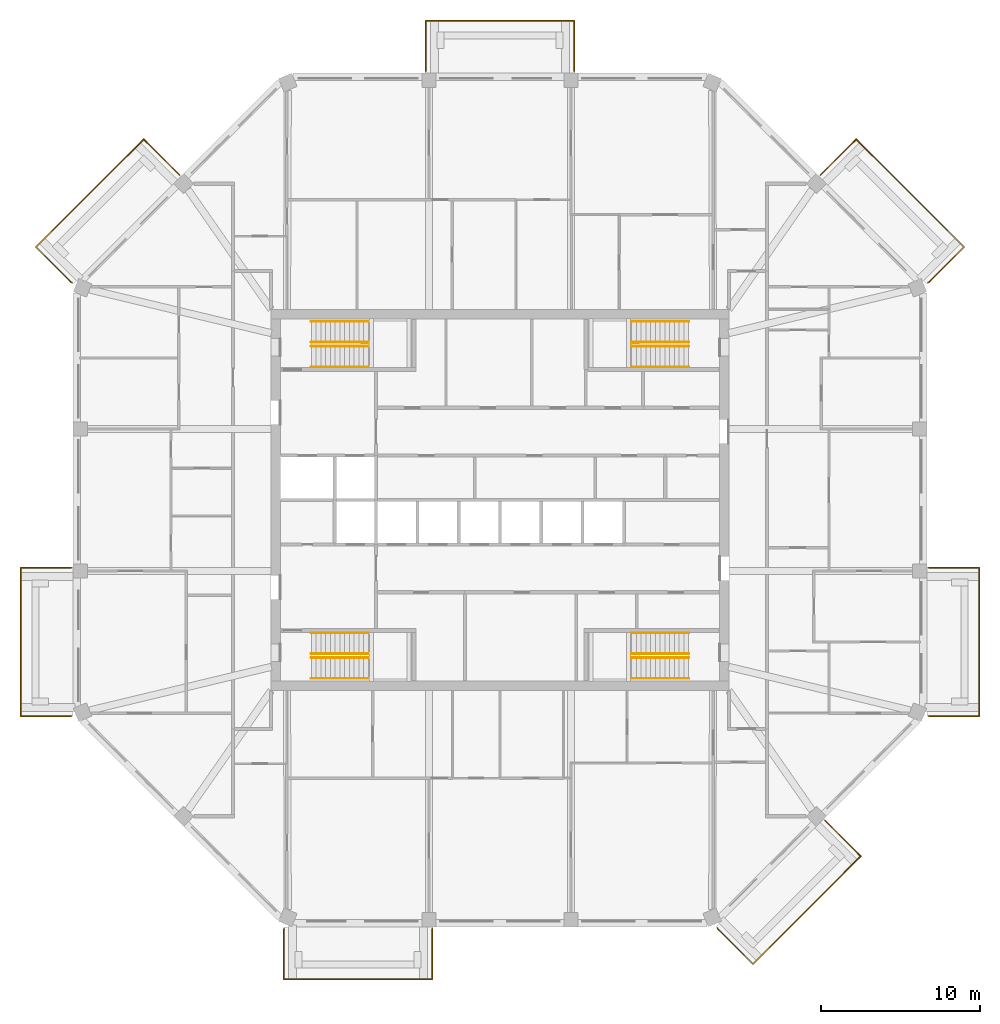
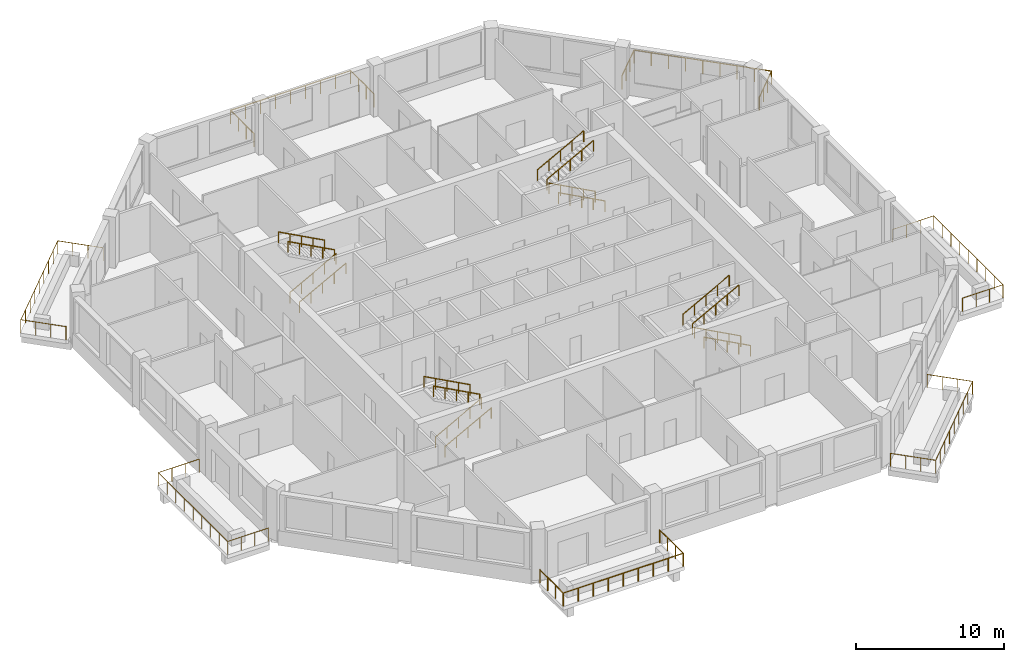
# One storey, part 11 of 11: 23 railings.
"""IFC4 building model written with IfcOpenShell, lengths in metres."""

from ifc_helpers import new_model, si_unit, direction, frame, origin, origin_2d, place, context, subcontext, project, spatial, circle, extrude, material, constituent, constituent_set, type_object, element, save


model = new_model("IFC4")

# Units and contexts
model_context = context("Model", 3, precision=1e-05, world=origin(), true_north=direction((0.0, 1.0)))
body_context = subcontext(model_context, "Body", "Model", "MODEL_VIEW")
ifc_project = project(units=[si_unit("LENGTHUNIT", "METRE"), si_unit("AREAUNIT", "SQUARE_METRE"), si_unit("VOLUMEUNIT", "CUBIC_METRE"), si_unit("PLANEANGLEUNIT", "RADIAN"), si_unit("MASSUNIT", "GRAM", prefix="KILO")], contexts=[model_context])

# Site, building, storey
site_placement = place(None, origin())
site = spatial("IfcSite", under=ifc_project, at=site_placement, CompositionType="ELEMENT")
building_placement = place(site_placement, origin())
building = spatial("IfcBuilding", under=site, at=building_placement, Name="Msitu Wima Residences", CompositionType="ELEMENT")
storey_placement = place(building_placement, frame((0.0, 0.0, 297.89990234375)))
storey = spatial("IfcBuildingStorey", under=building, at=storey_placement, Name="L69", CompositionType="ELEMENT", Elevation=297.89990234375)

# Railings
ifc_material_1 = material(Name="Steel S355", Category="steel")
ifc_constituent_1 = constituent(ifc_material_1, Name="Steel S355")
ifc_material_2 = material(Name="Weathering patina")
ifc_constituent_2 = constituent(ifc_material_2, Name="Weathering patina")
ifc_constituent_set_1 = constituent_set(constituents=[ifc_constituent_1, ifc_constituent_2], Name="Steel S355")
railing_type_1 = type_object("IfcRailingType", Name="Balcony guard GR1100", PredefinedType="GUARDRAIL", material=ifc_constituent_set_1)
railing_1_placement = place(storey_placement, frame((26.97998046875, -4.2685546875, 0.0)))
element("IfcRailing", 1, at=railing_1_placement, inside=storey, type_object=railing_type_1, Name="Balcony guard E0 L69", PredefinedType="GUARDRAIL", context=body_context, shape_type="SweptSolid", body=[
    extrude(circle(Radius=0.02392578125, at=origin_2d()), frame((0.0, 0.0, 1.076171875), z_axis=(1.0, 0.0, 0.0), x_axis=(0.0, 1.0, 0.0)), (0.0, 0.0, 1.0), 3.169921875),
    extrude(circle(Radius=0.02392578125, at=origin_2d()), frame((3.169921875, 0.0, 1.076171875), z_axis=(0.0, -1.0, 0.0), x_axis=(1.0, 0.0, 0.0)), (0.0, 0.0, 1.0), 9.33740234375),
    extrude(circle(Radius=0.02392578125, at=origin_2d()), frame((3.169921875, -9.33740234375, 1.076171875), z_axis=(-1.0, 0.0, 0.0), x_axis=(0.0, -1.0, 0.0)), (0.0, 0.0, 1.0), 3.136474609375),
    extrude(circle(Radius=0.02392578125, at=origin_2d()), frame((0.033447265625, -9.33740234375, 1.076171875), z_axis=(-0.923276184907, 0.384136806859, 0.0), x_axis=(-0.384136806859, -0.923276184907, 0.0)), (0.0, 0.0, 1.0), 0.0361328125),
    extrude(circle(Radius=0.02099609375, at=origin_2d()), origin(), (0.0, 0.0, 1.0), 1.052001953125),
    extrude(circle(Radius=0.02099609375, at=origin_2d()), frame((1.056640625, 0.0, 0.0)), (0.0, 0.0, 1.0), 1.052001953125),
    extrude(circle(Radius=0.02099609375, at=origin_2d()), frame((2.11328125, 0.0, 0.0)), (0.0, 0.0, 1.0), 1.052001953125),
    extrude(circle(Radius=0.02099609375, at=origin_2d()), frame((3.169921875, 0.0, 0.0)), (0.0, 0.0, 1.0), 1.052001953125),
    extrude(circle(Radius=0.02099609375, at=origin_2d()), frame((3.169921875, -1.167236328125, 0.0)), (0.0, 0.0, 1.0), 1.052001953125),
    extrude(circle(Radius=0.02099609375, at=origin_2d()), frame((3.169921875, -2.33447265625, 0.0)), (0.0, 0.0, 1.0), 1.052001953125),
    extrude(circle(Radius=0.02099609375, at=origin_2d()), frame((3.169921875, -3.50146484375, 0.0)), (0.0, 0.0, 1.0), 1.052001953125),
    extrude(circle(Radius=0.02099609375, at=origin_2d()), frame((3.169921875, -4.668701171875, 0.0)), (0.0, 0.0, 1.0), 1.052001953125),
    extrude(circle(Radius=0.02099609375, at=origin_2d()), frame((3.169921875, -5.8359375, 0.0)), (0.0, 0.0, 1.0), 1.052001953125),
    extrude(circle(Radius=0.02099609375, at=origin_2d()), frame((3.169921875, -7.0029296875, 0.0)), (0.0, 0.0, 1.0), 1.052001953125),
    extrude(circle(Radius=0.02099609375, at=origin_2d()), frame((3.169921875, -8.170166015625, 0.0)), (0.0, 0.0, 1.0), 1.052001953125),
    extrude(circle(Radius=0.02099609375, at=origin_2d()), frame((3.169921875, -9.33740234375, 0.0)), (0.0, 0.0, 1.0), 1.052001953125),
    extrude(circle(Radius=0.02099609375, at=origin_2d()), frame((2.12451171875, -9.33740234375, 0.0)), (0.0, 0.0, 1.0), 1.052001953125),
    extrude(circle(Radius=0.02099609375, at=origin_2d()), frame((1.078857421875, -9.33740234375, 0.0)), (0.0, 0.0, 1.0), 1.052001953125),
    extrude(circle(Radius=0.02099609375, at=origin_2d()), frame((0.033447265625, -9.33740234375, 0.0)), (0.0, 0.0, 1.0), 1.052001953125),
    extrude(circle(Radius=0.02099609375, at=origin_2d()), frame((0.0, -9.323486328125, 0.0)), (0.0, 0.0, 1.0), 1.052001953125),
])
railing_2_placement = place(storey_placement, frame((20.171630859375, 20.45458984375, 0.0)))
element("IfcRailing", 2, at=railing_2_placement, inside=storey, type_object=railing_type_1, Name="Balcony guard NE0 L69", PredefinedType="GUARDRAIL", context=body_context, shape_type="SweptSolid", body=[
    extrude(circle(Radius=0.02392578125, at=origin_2d()), frame((0.0, 0.0, 1.076171875), z_axis=(0.707106781187, 0.707106781187, 0.0), x_axis=(-0.707106781187, 0.707106781187, 0.0)), (0.0, 0.0, 1.0), 3.169921875),
    extrude(circle(Radius=0.02392578125, at=origin_2d()), frame((2.241455078125, 2.241455078125, 1.076171875), z_axis=(0.707106781187, -0.707106781187, 0.0), x_axis=(0.707106781187, 0.707106781187, 0.0)), (0.0, 0.0, 1.0), 9.58837890625),
    extrude(circle(Radius=0.02392578125, at=origin_2d()), frame((9.021484375, -4.53857421875, 1.076171875), z_axis=(-0.707106781187, -0.707106781187, 0.0), x_axis=(0.707106781187, -0.707106781187, 0.0)), (0.0, 0.0, 1.0), 3.136474609375),
    extrude(circle(Radius=0.02392578125, at=origin_2d()), frame((6.8037109375, -6.75634765625, 1.076171875), z_axis=(-0.92426142649, -0.38176015442, 0.0), x_axis=(0.38176015442, -0.92426142649, 0.0)), (0.0, 0.0, 1.0), 0.036376953125),
    extrude(circle(Radius=0.02099609375, at=origin_2d()), origin(), (0.0, 0.0, 1.0), 1.052001953125),
    extrude(circle(Radius=0.02099609375, at=origin_2d()), frame((0.7470703125, 0.7470703125, 0.0)), (0.0, 0.0, 1.0), 1.052001953125),
    extrude(circle(Radius=0.02099609375, at=origin_2d()), frame((1.494384765625, 1.494384765625, 0.0)), (0.0, 0.0, 1.0), 1.052001953125),
    extrude(circle(Radius=0.02099609375, at=origin_2d()), frame((2.241455078125, 2.241455078125, 0.0)), (0.0, 0.0, 1.0), 1.052001953125),
    extrude(circle(Radius=0.02099609375, at=origin_2d()), frame((3.0888671875, 1.39404296875, 0.0)), (0.0, 0.0, 1.0), 1.052001953125),
    extrude(circle(Radius=0.02099609375, at=origin_2d()), frame((3.9365234375, 0.54638671875, 0.0)), (0.0, 0.0, 1.0), 1.052001953125),
    extrude(circle(Radius=0.02099609375, at=origin_2d()), frame((4.783935546875, -0.301025390625, 0.0)), (0.0, 0.0, 1.0), 1.052001953125),
    extrude(circle(Radius=0.02099609375, at=origin_2d()), frame((5.63134765625, -1.1484375, 0.0)), (0.0, 0.0, 1.0), 1.052001953125),
    extrude(circle(Radius=0.02099609375, at=origin_2d()), frame((6.47900390625, -1.99609375, 0.0)), (0.0, 0.0, 1.0), 1.052001953125),
    extrude(circle(Radius=0.02099609375, at=origin_2d()), frame((7.326416015625, -2.843505859375, 0.0)), (0.0, 0.0, 1.0), 1.052001953125),
    extrude(circle(Radius=0.02099609375, at=origin_2d()), frame((8.174072265625, -3.691162109375, 0.0)), (0.0, 0.0, 1.0), 1.052001953125),
    extrude(circle(Radius=0.02099609375, at=origin_2d()), frame((9.021484375, -4.53857421875, 0.0)), (0.0, 0.0, 1.0), 1.052001953125),
    extrude(circle(Radius=0.02099609375, at=origin_2d()), frame((8.2822265625, -5.27783203125, 0.0)), (0.0, 0.0, 1.0), 1.052001953125),
    extrude(circle(Radius=0.02099609375, at=origin_2d()), frame((7.54296875, -6.01708984375, 0.0)), (0.0, 0.0, 1.0), 1.052001953125),
    extrude(circle(Radius=0.02099609375, at=origin_2d()), frame((6.8037109375, -6.75634765625, 0.0)), (0.0, 0.0, 1.0), 1.052001953125),
    extrude(circle(Radius=0.02099609375, at=origin_2d()), frame((6.77001953125, -6.770263671875, 0.0)), (0.0, 0.0, 1.0), 1.052001953125),
])
railing_3_placement = place(storey_placement, frame((-4.668701171875, 26.97998046875, 0.0)))
element("IfcRailing", 3, at=railing_3_placement, inside=storey, type_object=railing_type_1, Name="Balcony guard N1 L69", PredefinedType="GUARDRAIL", context=body_context, shape_type="SweptSolid", body=[
    extrude(circle(Radius=0.02392578125, at=origin_2d()), frame((0.0, 0.0, 1.076171875), z_axis=(0.0, 1.0, 0.0), x_axis=(-1.0, 0.0, 0.0)), (0.0, 0.0, 1.0), 3.169921875),
    extrude(circle(Radius=0.02392578125, at=origin_2d()), frame((0.0, 3.169921875, 1.076171875), z_axis=(1.0, 0.0, 0.0), x_axis=(0.0, 1.0, 0.0)), (0.0, 0.0, 1.0), 9.33740234375),
    extrude(circle(Radius=0.02392578125, at=origin_2d()), frame((9.33740234375, 3.169921875, 1.076171875), z_axis=(0.0, -1.0, 0.0), x_axis=(1.0, 0.0, 0.0)), (0.0, 0.0, 1.0), 3.169921875),
    extrude(circle(Radius=0.02099609375, at=origin_2d()), origin(), (0.0, 0.0, 1.0), 1.052001953125),
    extrude(circle(Radius=0.02099609375, at=origin_2d()), frame((0.0, 1.056640625, 0.0)), (0.0, 0.0, 1.0), 1.052001953125),
    extrude(circle(Radius=0.02099609375, at=origin_2d()), frame((0.0, 2.11328125, 0.0)), (0.0, 0.0, 1.0), 1.052001953125),
    extrude(circle(Radius=0.02099609375, at=origin_2d()), frame((0.0, 3.169921875, 0.0)), (0.0, 0.0, 1.0), 1.052001953125),
    extrude(circle(Radius=0.02099609375, at=origin_2d()), frame((1.167236328125, 3.169921875, 0.0)), (0.0, 0.0, 1.0), 1.052001953125),
    extrude(circle(Radius=0.02099609375, at=origin_2d()), frame((2.33447265625, 3.169921875, 0.0)), (0.0, 0.0, 1.0), 1.052001953125),
    extrude(circle(Radius=0.02099609375, at=origin_2d()), frame((3.50146484375, 3.169921875, 0.0)), (0.0, 0.0, 1.0), 1.052001953125),
    extrude(circle(Radius=0.02099609375, at=origin_2d()), frame((4.668701171875, 3.169921875, 0.0)), (0.0, 0.0, 1.0), 1.052001953125),
    extrude(circle(Radius=0.02099609375, at=origin_2d()), frame((5.8359375, 3.169921875, 0.0)), (0.0, 0.0, 1.0), 1.052001953125),
    extrude(circle(Radius=0.02099609375, at=origin_2d()), frame((7.0029296875, 3.169921875, 0.0)), (0.0, 0.0, 1.0), 1.052001953125),
    extrude(circle(Radius=0.02099609375, at=origin_2d()), frame((8.170166015625, 3.169921875, 0.0)), (0.0, 0.0, 1.0), 1.052001953125),
    extrude(circle(Radius=0.02099609375, at=origin_2d()), frame((9.33740234375, 3.169921875, 0.0)), (0.0, 0.0, 1.0), 1.052001953125),
    extrude(circle(Radius=0.02099609375, at=origin_2d()), frame((9.33740234375, 2.11328125, 0.0)), (0.0, 0.0, 1.0), 1.052001953125),
    extrude(circle(Radius=0.02099609375, at=origin_2d()), frame((9.33740234375, 1.056640625, 0.0)), (0.0, 0.0, 1.0), 1.052001953125),
    extrude(circle(Radius=0.02099609375, at=origin_2d()), frame((9.33740234375, 0.0, 0.0)), (0.0, 0.0, 1.0), 1.052001953125),
])
railing_4_placement = place(storey_placement, frame((-26.941650390625, 13.684326171875, 0.0)))
element("IfcRailing", 4, at=railing_4_placement, inside=storey, type_object=railing_type_1, Name="Balcony guard NW1 L69", PredefinedType="GUARDRAIL", context=body_context, shape_type="SweptSolid", body=[
    extrude(circle(Radius=0.02392578125, at=origin_2d()), frame((0.0, 0.0, 1.076171875), z_axis=(-0.92426142649, 0.38176015442, 0.0), x_axis=(-0.38176015442, -0.92426142649, 0.0)), (0.0, 0.0, 1.0), 0.036376953125),
    extrude(circle(Radius=0.02392578125, at=origin_2d()), frame((-0.03369140625, 0.013916015625, 1.076171875), z_axis=(-0.707106781187, 0.707106781187, 0.0), x_axis=(-0.707106781187, -0.707106781187, 0.0)), (0.0, 0.0, 1.0), 3.136474609375),
    extrude(circle(Radius=0.02392578125, at=origin_2d()), frame((-2.25146484375, 2.231689453125, 1.076171875), z_axis=(0.707106781187, 0.707106781187, 0.0), x_axis=(-0.707106781187, 0.707106781187, 0.0)), (0.0, 0.0, 1.0), 9.58837890625),
    extrude(circle(Radius=0.02392578125, at=origin_2d()), frame((4.528564453125, 9.01171875, 1.076171875), z_axis=(0.707106781187, -0.707106781187, 0.0), x_axis=(0.707106781187, 0.707106781187, 0.0)), (0.0, 0.0, 1.0), 3.169921875),
    extrude(circle(Radius=0.02099609375, at=origin_2d()), origin(), (0.0, 0.0, 1.0), 1.052001953125),
    extrude(circle(Radius=0.02099609375, at=origin_2d()), frame((-0.03369140625, 0.013916015625, 0.0)), (0.0, 0.0, 1.0), 1.052001953125),
    extrude(circle(Radius=0.02099609375, at=origin_2d()), frame((-0.77294921875, 0.753173828125, 0.0)), (0.0, 0.0, 1.0), 1.052001953125),
    extrude(circle(Radius=0.02099609375, at=origin_2d()), frame((-1.51220703125, 1.492431640625, 0.0)), (0.0, 0.0, 1.0), 1.052001953125),
    extrude(circle(Radius=0.02099609375, at=origin_2d()), frame((-2.25146484375, 2.231689453125, 0.0)), (0.0, 0.0, 1.0), 1.052001953125),
    extrude(circle(Radius=0.02099609375, at=origin_2d()), frame((-1.404052734375, 3.0791015625, 0.0)), (0.0, 0.0, 1.0), 1.052001953125),
    extrude(circle(Radius=0.02099609375, at=origin_2d()), frame((-0.556396484375, 3.9267578125, 0.0)), (0.0, 0.0, 1.0), 1.052001953125),
    extrude(circle(Radius=0.02099609375, at=origin_2d()), frame((0.291015625, 4.774169921875, 0.0)), (0.0, 0.0, 1.0), 1.052001953125),
    extrude(circle(Radius=0.02099609375, at=origin_2d()), frame((1.138671875, 5.62158203125, 0.0)), (0.0, 0.0, 1.0), 1.052001953125),
    extrude(circle(Radius=0.02099609375, at=origin_2d()), frame((1.986083984375, 6.46923828125, 0.0)), (0.0, 0.0, 1.0), 1.052001953125),
    extrude(circle(Radius=0.02099609375, at=origin_2d()), frame((2.83349609375, 7.316650390625, 0.0)), (0.0, 0.0, 1.0), 1.052001953125),
    extrude(circle(Radius=0.02099609375, at=origin_2d()), frame((3.68115234375, 8.164306640625, 0.0)), (0.0, 0.0, 1.0), 1.052001953125),
    extrude(circle(Radius=0.02099609375, at=origin_2d()), frame((4.528564453125, 9.01171875, 0.0)), (0.0, 0.0, 1.0), 1.052001953125),
    extrude(circle(Radius=0.02099609375, at=origin_2d()), frame((5.275634765625, 8.2646484375, 0.0)), (0.0, 0.0, 1.0), 1.052001953125),
    extrude(circle(Radius=0.02099609375, at=origin_2d()), frame((6.02294921875, 7.517333984375, 0.0)), (0.0, 0.0, 1.0), 1.052001953125),
    extrude(circle(Radius=0.02099609375, at=origin_2d()), frame((6.77001953125, 6.770263671875, 0.0)), (0.0, 0.0, 1.0), 1.052001953125),
])
railing_5_placement = place(storey_placement, frame((-26.97998046875, -13.592041015625, 0.0)))
element("IfcRailing", 5, at=railing_5_placement, inside=storey, type_object=railing_type_1, Name="Balcony guard W2 L69", PredefinedType="GUARDRAIL", context=body_context, shape_type="SweptSolid", body=[
    extrude(circle(Radius=0.02392578125, at=origin_2d()), frame((0.0, 0.0, 1.076171875), z_axis=(-0.923276184907, -0.384136806859, 0.0), x_axis=(0.384136806859, -0.923276184907, 0.0)), (0.0, 0.0, 1.0), 0.0361328125),
    extrude(circle(Radius=0.02392578125, at=origin_2d()), frame((-0.033447265625, -0.013916015625, 1.076171875), z_axis=(-1.0, 0.0, 0.0), x_axis=(0.0, -1.0, 0.0)), (0.0, 0.0, 1.0), 3.136474609375),
    extrude(circle(Radius=0.02392578125, at=origin_2d()), frame((-3.169921875, -0.013916015625, 1.076171875), z_axis=(0.0, 1.0, 0.0), x_axis=(-1.0, 0.0, 0.0)), (0.0, 0.0, 1.0), 9.33740234375),
    extrude(circle(Radius=0.02392578125, at=origin_2d()), frame((-3.169921875, 9.323486328125, 1.076171875), z_axis=(1.0, 0.0, 0.0), x_axis=(0.0, 1.0, 0.0)), (0.0, 0.0, 1.0), 3.169921875),
    extrude(circle(Radius=0.02099609375, at=origin_2d()), origin(), (0.0, 0.0, 1.0), 1.052001953125),
    extrude(circle(Radius=0.02099609375, at=origin_2d()), frame((-0.033447265625, -0.013916015625, 0.0)), (0.0, 0.0, 1.0), 1.052001953125),
    extrude(circle(Radius=0.02099609375, at=origin_2d()), frame((-1.078857421875, -0.013916015625, 0.0)), (0.0, 0.0, 1.0), 1.052001953125),
    extrude(circle(Radius=0.02099609375, at=origin_2d()), frame((-2.12451171875, -0.013916015625, 0.0)), (0.0, 0.0, 1.0), 1.052001953125),
    extrude(circle(Radius=0.02099609375, at=origin_2d()), frame((-3.169921875, -0.013916015625, 0.0)), (0.0, 0.0, 1.0), 1.052001953125),
    extrude(circle(Radius=0.02099609375, at=origin_2d()), frame((-3.169921875, 1.1533203125, 0.0)), (0.0, 0.0, 1.0), 1.052001953125),
    extrude(circle(Radius=0.02099609375, at=origin_2d()), frame((-3.169921875, 2.3203125, 0.0)), (0.0, 0.0, 1.0), 1.052001953125),
    extrude(circle(Radius=0.02099609375, at=origin_2d()), frame((-3.169921875, 3.487548828125, 0.0)), (0.0, 0.0, 1.0), 1.052001953125),
    extrude(circle(Radius=0.02099609375, at=origin_2d()), frame((-3.169921875, 4.65478515625, 0.0)), (0.0, 0.0, 1.0), 1.052001953125),
    extrude(circle(Radius=0.02099609375, at=origin_2d()), frame((-3.169921875, 5.822021484375, 0.0)), (0.0, 0.0, 1.0), 1.052001953125),
    extrude(circle(Radius=0.02099609375, at=origin_2d()), frame((-3.169921875, 6.9892578125, 0.0)), (0.0, 0.0, 1.0), 1.052001953125),
    extrude(circle(Radius=0.02099609375, at=origin_2d()), frame((-3.169921875, 8.15625, 0.0)), (0.0, 0.0, 1.0), 1.052001953125),
    extrude(circle(Radius=0.02099609375, at=origin_2d()), frame((-3.169921875, 9.323486328125, 0.0)), (0.0, 0.0, 1.0), 1.052001953125),
    extrude(circle(Radius=0.02099609375, at=origin_2d()), frame((-2.11328125, 9.323486328125, 0.0)), (0.0, 0.0, 1.0), 1.052001953125),
    extrude(circle(Radius=0.02099609375, at=origin_2d()), frame((-1.056640625, 9.323486328125, 0.0)), (0.0, 0.0, 1.0), 1.052001953125),
    extrude(circle(Radius=0.02099609375, at=origin_2d()), frame((0.0, 9.323486328125, 0.0)), (0.0, 0.0, 1.0), 1.052001953125),
])
railing_6_placement = place(storey_placement, frame((-4.2685546875, -26.97998046875, 0.0)))
element("IfcRailing", 6, at=railing_6_placement, inside=storey, type_object=railing_type_1, Name="Balcony guard S0 L69", PredefinedType="GUARDRAIL", context=body_context, shape_type="SweptSolid", body=[
    extrude(circle(Radius=0.02392578125, at=origin_2d()), frame((0.0, 0.0, 1.076171875), z_axis=(0.0, -1.0, 0.0), x_axis=(1.0, 0.0, 0.0)), (0.0, 0.0, 1.0), 3.169921875),
    extrude(circle(Radius=0.02392578125, at=origin_2d()), frame((0.0, -3.169921875, 1.076171875), z_axis=(-1.0, 0.0, 0.0), x_axis=(0.0, -1.0, 0.0)), (0.0, 0.0, 1.0), 9.33740234375),
    extrude(circle(Radius=0.02392578125, at=origin_2d()), frame((-9.33740234375, -3.169921875, 1.076171875), z_axis=(0.0, 1.0, 0.0), x_axis=(-1.0, 0.0, 0.0)), (0.0, 0.0, 1.0), 3.136474609375),
    extrude(circle(Radius=0.02392578125, at=origin_2d()), frame((-9.33740234375, -0.033447265625, 1.076171875), z_axis=(0.384136806859, 0.923276184907, 0.0), x_axis=(-0.923276184907, 0.384136806859, 0.0)), (0.0, 0.0, 1.0), 0.0361328125),
    extrude(circle(Radius=0.02099609375, at=origin_2d()), origin(), (0.0, 0.0, 1.0), 1.052001953125),
    extrude(circle(Radius=0.02099609375, at=origin_2d()), frame((0.0, -1.056640625, 0.0)), (0.0, 0.0, 1.0), 1.052001953125),
    extrude(circle(Radius=0.02099609375, at=origin_2d()), frame((0.0, -2.11328125, 0.0)), (0.0, 0.0, 1.0), 1.052001953125),
    extrude(circle(Radius=0.02099609375, at=origin_2d()), frame((0.0, -3.169921875, 0.0)), (0.0, 0.0, 1.0), 1.052001953125),
    extrude(circle(Radius=0.02099609375, at=origin_2d()), frame((-1.167236328125, -3.169921875, 0.0)), (0.0, 0.0, 1.0), 1.052001953125),
    extrude(circle(Radius=0.02099609375, at=origin_2d()), frame((-2.33447265625, -3.169921875, 0.0)), (0.0, 0.0, 1.0), 1.052001953125),
    extrude(circle(Radius=0.02099609375, at=origin_2d()), frame((-3.50146484375, -3.169921875, 0.0)), (0.0, 0.0, 1.0), 1.052001953125),
    extrude(circle(Radius=0.02099609375, at=origin_2d()), frame((-4.668701171875, -3.169921875, 0.0)), (0.0, 0.0, 1.0), 1.052001953125),
    extrude(circle(Radius=0.02099609375, at=origin_2d()), frame((-5.8359375, -3.169921875, 0.0)), (0.0, 0.0, 1.0), 1.052001953125),
    extrude(circle(Radius=0.02099609375, at=origin_2d()), frame((-7.0029296875, -3.169921875, 0.0)), (0.0, 0.0, 1.0), 1.052001953125),
    extrude(circle(Radius=0.02099609375, at=origin_2d()), frame((-8.170166015625, -3.169921875, 0.0)), (0.0, 0.0, 1.0), 1.052001953125),
    extrude(circle(Radius=0.02099609375, at=origin_2d()), frame((-9.33740234375, -3.169921875, 0.0)), (0.0, 0.0, 1.0), 1.052001953125),
    extrude(circle(Radius=0.02099609375, at=origin_2d()), frame((-9.33740234375, -2.12451171875, 0.0)), (0.0, 0.0, 1.0), 1.052001953125),
    extrude(circle(Radius=0.02099609375, at=origin_2d()), frame((-9.33740234375, -1.078857421875, 0.0)), (0.0, 0.0, 1.0), 1.052001953125),
    extrude(circle(Radius=0.02099609375, at=origin_2d()), frame((-9.33740234375, -0.033447265625, 0.0)), (0.0, 0.0, 1.0), 1.052001953125),
    extrude(circle(Radius=0.02099609375, at=origin_2d()), frame((-9.323486328125, 0.0, 0.0)), (0.0, 0.0, 1.0), 1.052001953125),
])
railing_7_placement = place(storey_placement, frame((20.45458984375, -20.171630859375, 0.0)))
element("IfcRailing", 7, at=railing_7_placement, inside=storey, type_object=railing_type_1, Name="Balcony guard SE0 L69", PredefinedType="GUARDRAIL", context=body_context, shape_type="SweptSolid", body=[
    extrude(circle(Radius=0.02392578125, at=origin_2d()), frame((0.0, 0.0, 1.076171875), z_axis=(0.707106781187, -0.707106781187, 0.0), x_axis=(0.707106781187, 0.707106781187, 0.0)), (0.0, 0.0, 1.0), 3.169921875),
    extrude(circle(Radius=0.02392578125, at=origin_2d()), frame((2.241455078125, -2.241455078125, 1.076171875), z_axis=(-0.707106781187, -0.707106781187, 0.0), x_axis=(0.707106781187, -0.707106781187, 0.0)), (0.0, 0.0, 1.0), 9.58837890625),
    extrude(circle(Radius=0.02392578125, at=origin_2d()), frame((-4.53857421875, -9.021484375, 1.076171875), z_axis=(-0.707106781187, 0.707106781187, 0.0), x_axis=(-0.707106781187, -0.707106781187, 0.0)), (0.0, 0.0, 1.0), 3.136474609375),
    extrude(circle(Radius=0.02392578125, at=origin_2d()), frame((-6.75634765625, -6.8037109375, 1.076171875), z_axis=(-0.38176015442, 0.92426142649, 0.0), x_axis=(-0.92426142649, -0.38176015442, 0.0)), (0.0, 0.0, 1.0), 0.036376953125),
    extrude(circle(Radius=0.02099609375, at=origin_2d()), origin(), (0.0, 0.0, 1.0), 1.052001953125),
    extrude(circle(Radius=0.02099609375, at=origin_2d()), frame((0.7470703125, -0.7470703125, 0.0)), (0.0, 0.0, 1.0), 1.052001953125),
    extrude(circle(Radius=0.02099609375, at=origin_2d()), frame((1.494384765625, -1.494384765625, 0.0)), (0.0, 0.0, 1.0), 1.052001953125),
    extrude(circle(Radius=0.02099609375, at=origin_2d()), frame((2.241455078125, -2.241455078125, 0.0)), (0.0, 0.0, 1.0), 1.052001953125),
    extrude(circle(Radius=0.02099609375, at=origin_2d()), frame((1.39404296875, -3.0888671875, 0.0)), (0.0, 0.0, 1.0), 1.052001953125),
    extrude(circle(Radius=0.02099609375, at=origin_2d()), frame((0.54638671875, -3.9365234375, 0.0)), (0.0, 0.0, 1.0), 1.052001953125),
    extrude(circle(Radius=0.02099609375, at=origin_2d()), frame((-0.301025390625, -4.783935546875, 0.0)), (0.0, 0.0, 1.0), 1.052001953125),
    extrude(circle(Radius=0.02099609375, at=origin_2d()), frame((-1.1484375, -5.63134765625, 0.0)), (0.0, 0.0, 1.0), 1.052001953125),
    extrude(circle(Radius=0.02099609375, at=origin_2d()), frame((-1.99609375, -6.47900390625, 0.0)), (0.0, 0.0, 1.0), 1.052001953125),
    extrude(circle(Radius=0.02099609375, at=origin_2d()), frame((-2.843505859375, -7.326416015625, 0.0)), (0.0, 0.0, 1.0), 1.052001953125),
    extrude(circle(Radius=0.02099609375, at=origin_2d()), frame((-3.691162109375, -8.174072265625, 0.0)), (0.0, 0.0, 1.0), 1.052001953125),
    extrude(circle(Radius=0.02099609375, at=origin_2d()), frame((-4.53857421875, -9.021484375, 0.0)), (0.0, 0.0, 1.0), 1.052001953125),
    extrude(circle(Radius=0.02099609375, at=origin_2d()), frame((-5.27783203125, -8.2822265625, 0.0)), (0.0, 0.0, 1.0), 1.052001953125),
    extrude(circle(Radius=0.02099609375, at=origin_2d()), frame((-6.01708984375, -7.54296875, 0.0)), (0.0, 0.0, 1.0), 1.052001953125),
    extrude(circle(Radius=0.02099609375, at=origin_2d()), frame((-6.75634765625, -6.8037109375, 0.0)), (0.0, 0.0, 1.0), 1.052001953125),
    extrude(circle(Radius=0.02099609375, at=origin_2d()), frame((-6.770263671875, -6.77001953125, 0.0)), (0.0, 0.0, 1.0), 1.052001953125),
])
ifc_constituent_3 = constituent(ifc_material_1, Name="Steel S355")
ifc_material_3 = material(Name="Black powder coating")
ifc_constituent_4 = constituent(ifc_material_3, Name="Black powder coating")
ifc_constituent_set_2 = constituent_set(constituents=[ifc_constituent_3, ifc_constituent_4], Name="Steel S355")
railing_type_2 = type_object("IfcRailingType", Name="Stair handrail HR1", PredefinedType="HANDRAIL", material=ifc_constituent_set_2)
for number, where, name in (
    (8, (-11.875, 8.375, 0.16162109375), "Stair 1 handrail"),
    (9, (-11.875, 9.675048828125, 0.16162109375), "Stair 1 handrail"),
):
    element("IfcRailing", number, at=place(storey_placement, frame(where)), inside=storey, type_object=railing_type_2, Name=name, PredefinedType="HANDRAIL", context=body_context, shape_type="SweptSolid", body=[
        extrude(circle(Radius=0.02392578125, at=origin_2d()), frame((0.0, 0.0, 0.8759765625), z_axis=(0.880474934443, 0.0, 0.474092701714), x_axis=(0.0, 1.0, 0.0)), (0.0, 0.0, 1.0), 4.0888671875),
        extrude(circle(Radius=0.02099609375, at=origin_2d()), origin(), (0.0, 0.0, 1.0), 0.851806640625),
        extrude(circle(Radius=0.02099609375, at=origin_2d()), frame((0.89990234375, 0.0, 0.484619140625)), (0.0, 0.0, 1.0), 0.851806640625),
        extrude(circle(Radius=0.02099609375, at=origin_2d()), frame((1.800048828125, 0.0, 0.96923828125)), (0.0, 0.0, 1.0), 0.851806640625),
        extrude(circle(Radius=0.02099609375, at=origin_2d()), frame((2.7001953125, 0.0, 1.453857421875)), (0.0, 0.0, 1.0), 0.851806640625),
        extrude(circle(Radius=0.02099609375, at=origin_2d()), frame((3.60009765625, 0.0, 1.9384765625)), (0.0, 0.0, 1.0), 0.851806640625),
    ])
for number, where, name in (
    (10, (-8.27490234375, 9.925048828125, 2.26171875), "Stair 1 handrail"),
    (11, (-8.27490234375, 11.22509765625, 2.26171875), "Stair 1 handrail"),
):
    element("IfcRailing", number, at=place(storey_placement, frame(where)), inside=storey, type_object=railing_type_2, Name=name, PredefinedType="HANDRAIL", context=body_context, shape_type="SweptSolid", body=[
        extrude(circle(Radius=0.02392578125, at=origin_2d()), frame((0.0, 0.0, 0.8759765625), z_axis=(-0.880474934443, 0.0, 0.474092701714), x_axis=(0.0, -1.0, 0.0)), (0.0, 0.0, 1.0), 4.0888671875),
        extrude(circle(Radius=0.02099609375, at=origin_2d()), origin(), (0.0, 0.0, 1.0), 0.851806640625),
        extrude(circle(Radius=0.02099609375, at=origin_2d()), frame((-0.89990234375, 0.0, 0.484619140625)), (0.0, 0.0, 1.0), 0.851806640625),
        extrude(circle(Radius=0.02099609375, at=origin_2d()), frame((-1.800048828125, 0.0, 0.96923828125)), (0.0, 0.0, 1.0), 0.851806640625),
        extrude(circle(Radius=0.02099609375, at=origin_2d()), frame((-2.7001953125, 0.0, 1.453857421875)), (0.0, 0.0, 1.0), 0.851806640625),
        extrude(circle(Radius=0.02099609375, at=origin_2d()), frame((-3.60009765625, 0.0, 1.9384765625)), (0.0, 0.0, 1.0), 0.851806640625),
    ])
for number, where, name in (
    (12, (-11.875, -11.22509765625, 0.16162109375), "Stair 2 handrail"),
    (13, (-11.875, -9.925048828125, 0.16162109375), "Stair 2 handrail"),
):
    element("IfcRailing", number, at=place(storey_placement, frame(where)), inside=storey, type_object=railing_type_2, Name=name, PredefinedType="HANDRAIL", context=body_context, shape_type="SweptSolid", body=[
        extrude(circle(Radius=0.02392578125, at=origin_2d()), frame((0.0, 0.0, 0.8759765625), z_axis=(0.880474934443, 0.0, 0.474092701714), x_axis=(0.0, 1.0, 0.0)), (0.0, 0.0, 1.0), 4.0888671875),
        extrude(circle(Radius=0.02099609375, at=origin_2d()), origin(), (0.0, 0.0, 1.0), 0.851806640625),
        extrude(circle(Radius=0.02099609375, at=origin_2d()), frame((0.89990234375, 0.0, 0.484619140625)), (0.0, 0.0, 1.0), 0.851806640625),
        extrude(circle(Radius=0.02099609375, at=origin_2d()), frame((1.800048828125, 0.0, 0.96923828125)), (0.0, 0.0, 1.0), 0.851806640625),
        extrude(circle(Radius=0.02099609375, at=origin_2d()), frame((2.7001953125, 0.0, 1.453857421875)), (0.0, 0.0, 1.0), 0.851806640625),
        extrude(circle(Radius=0.02099609375, at=origin_2d()), frame((3.60009765625, 0.0, 1.9384765625)), (0.0, 0.0, 1.0), 0.851806640625),
    ])
for number, where, name in (
    (14, (-8.27490234375, -9.675048828125, 2.26171875), "Stair 2 handrail"),
    (15, (-8.27490234375, -8.375, 2.26171875), "Stair 2 handrail"),
    (16, (11.875, 8.375, 0.16162109375), "Stair 3 handrail"),
    (17, (11.875, 9.675048828125, 0.16162109375), "Stair 3 handrail"),
):
    element("IfcRailing", number, at=place(storey_placement, frame(where)), inside=storey, type_object=railing_type_2, Name=name, PredefinedType="HANDRAIL", context=body_context, shape_type="SweptSolid", body=[
        extrude(circle(Radius=0.02392578125, at=origin_2d()), frame((0.0, 0.0, 0.8759765625), z_axis=(-0.880474934443, 0.0, 0.474092701714), x_axis=(0.0, -1.0, 0.0)), (0.0, 0.0, 1.0), 4.0888671875),
        extrude(circle(Radius=0.02099609375, at=origin_2d()), origin(), (0.0, 0.0, 1.0), 0.851806640625),
        extrude(circle(Radius=0.02099609375, at=origin_2d()), frame((-0.89990234375, 0.0, 0.484619140625)), (0.0, 0.0, 1.0), 0.851806640625),
        extrude(circle(Radius=0.02099609375, at=origin_2d()), frame((-1.800048828125, 0.0, 0.96923828125)), (0.0, 0.0, 1.0), 0.851806640625),
        extrude(circle(Radius=0.02099609375, at=origin_2d()), frame((-2.7001953125, 0.0, 1.453857421875)), (0.0, 0.0, 1.0), 0.851806640625),
        extrude(circle(Radius=0.02099609375, at=origin_2d()), frame((-3.60009765625, 0.0, 1.9384765625)), (0.0, 0.0, 1.0), 0.851806640625),
    ])
for number, where, name in (
    (18, (8.27490234375, 9.925048828125, 2.26171875), "Stair 3 handrail"),
    (19, (8.27490234375, 11.22509765625, 2.26171875), "Stair 3 handrail"),
):
    element("IfcRailing", number, at=place(storey_placement, frame(where)), inside=storey, type_object=railing_type_2, Name=name, PredefinedType="HANDRAIL", context=body_context, shape_type="SweptSolid", body=[
        extrude(circle(Radius=0.02392578125, at=origin_2d()), frame((0.0, 0.0, 0.8759765625), z_axis=(0.880474934443, 0.0, 0.474092701714), x_axis=(0.0, 1.0, 0.0)), (0.0, 0.0, 1.0), 4.0888671875),
        extrude(circle(Radius=0.02099609375, at=origin_2d()), origin(), (0.0, 0.0, 1.0), 0.851806640625),
        extrude(circle(Radius=0.02099609375, at=origin_2d()), frame((0.89990234375, 0.0, 0.484619140625)), (0.0, 0.0, 1.0), 0.851806640625),
        extrude(circle(Radius=0.02099609375, at=origin_2d()), frame((1.800048828125, 0.0, 0.96923828125)), (0.0, 0.0, 1.0), 0.851806640625),
        extrude(circle(Radius=0.02099609375, at=origin_2d()), frame((2.7001953125, 0.0, 1.453857421875)), (0.0, 0.0, 1.0), 0.851806640625),
        extrude(circle(Radius=0.02099609375, at=origin_2d()), frame((3.60009765625, 0.0, 1.9384765625)), (0.0, 0.0, 1.0), 0.851806640625),
    ])
for number, where, name in (
    (20, (11.875, -11.22509765625, 0.16162109375), "Stair 4 handrail"),
    (21, (11.875, -9.925048828125, 0.16162109375), "Stair 4 handrail"),
):
    element("IfcRailing", number, at=place(storey_placement, frame(where)), inside=storey, type_object=railing_type_2, Name=name, PredefinedType="HANDRAIL", context=body_context, shape_type="SweptSolid", body=[
        extrude(circle(Radius=0.02392578125, at=origin_2d()), frame((0.0, 0.0, 0.8759765625), z_axis=(-0.880474934443, 0.0, 0.474092701714), x_axis=(0.0, -1.0, 0.0)), (0.0, 0.0, 1.0), 4.0888671875),
        extrude(circle(Radius=0.02099609375, at=origin_2d()), origin(), (0.0, 0.0, 1.0), 0.851806640625),
        extrude(circle(Radius=0.02099609375, at=origin_2d()), frame((-0.89990234375, 0.0, 0.484619140625)), (0.0, 0.0, 1.0), 0.851806640625),
        extrude(circle(Radius=0.02099609375, at=origin_2d()), frame((-1.800048828125, 0.0, 0.96923828125)), (0.0, 0.0, 1.0), 0.851806640625),
        extrude(circle(Radius=0.02099609375, at=origin_2d()), frame((-2.7001953125, 0.0, 1.453857421875)), (0.0, 0.0, 1.0), 0.851806640625),
        extrude(circle(Radius=0.02099609375, at=origin_2d()), frame((-3.60009765625, 0.0, 1.9384765625)), (0.0, 0.0, 1.0), 0.851806640625),
    ])
for number, where, name in (
    (22, (8.27490234375, -9.675048828125, 2.26171875), "Stair 4 handrail"),
    (23, (8.27490234375, -8.375, 2.26171875), "Stair 4 handrail"),
):
    element("IfcRailing", number, at=place(storey_placement, frame(where)), inside=storey, type_object=railing_type_2, Name=name, PredefinedType="HANDRAIL", context=body_context, shape_type="SweptSolid", body=[
        extrude(circle(Radius=0.02392578125, at=origin_2d()), frame((0.0, 0.0, 0.8759765625), z_axis=(0.880474934443, 0.0, 0.474092701714), x_axis=(0.0, 1.0, 0.0)), (0.0, 0.0, 1.0), 4.0888671875),
        extrude(circle(Radius=0.02099609375, at=origin_2d()), origin(), (0.0, 0.0, 1.0), 0.851806640625),
        extrude(circle(Radius=0.02099609375, at=origin_2d()), frame((0.89990234375, 0.0, 0.484619140625)), (0.0, 0.0, 1.0), 0.851806640625),
        extrude(circle(Radius=0.02099609375, at=origin_2d()), frame((1.800048828125, 0.0, 0.96923828125)), (0.0, 0.0, 1.0), 0.851806640625),
        extrude(circle(Radius=0.02099609375, at=origin_2d()), frame((2.7001953125, 0.0, 1.453857421875)), (0.0, 0.0, 1.0), 0.851806640625),
        extrude(circle(Radius=0.02099609375, at=origin_2d()), frame((3.60009765625, 0.0, 1.9384765625)), (0.0, 0.0, 1.0), 0.851806640625),
    ])

save(model, "model.ifc")
